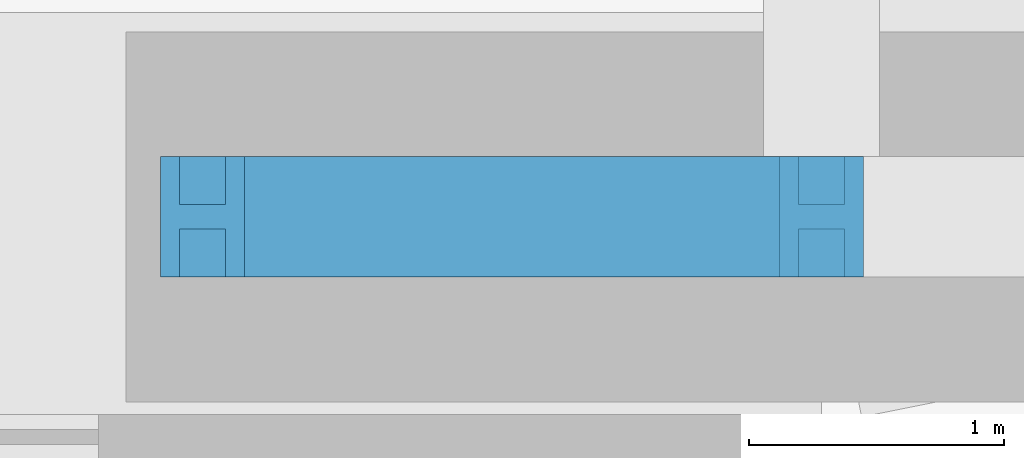
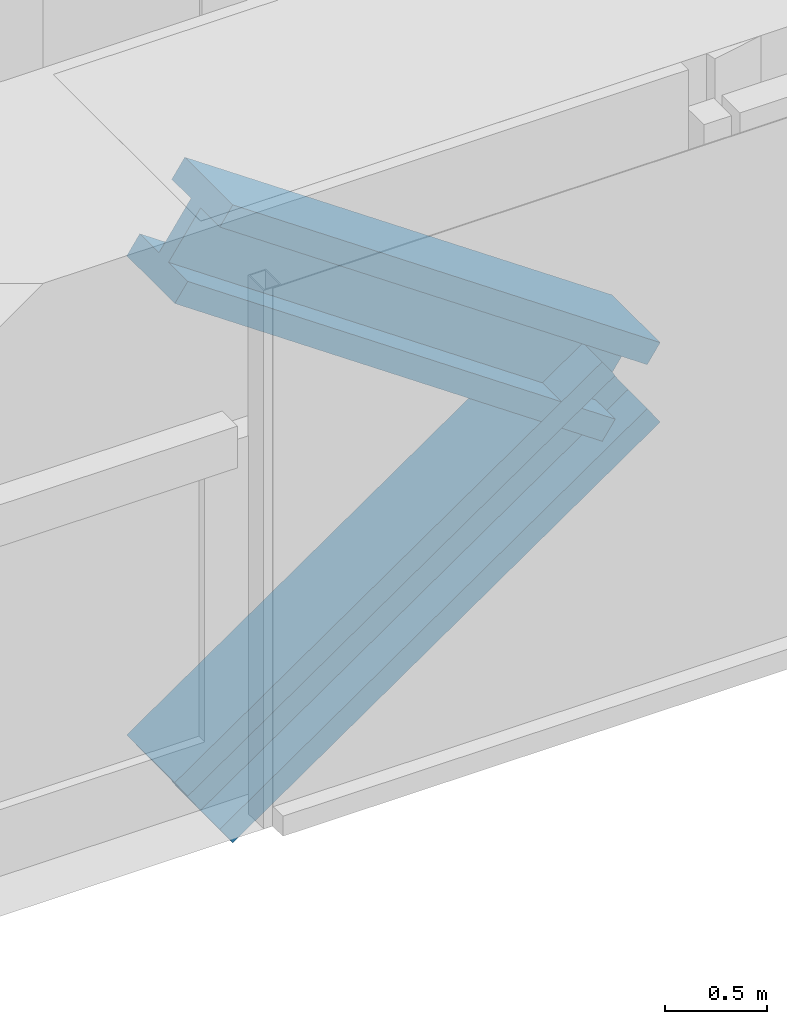
# One storey, part 6 of 24: 2 members.
"""IFC4 building model written with IfcOpenShell, lengths in metres."""

from ifc_helpers import new_model, si_unit, direction, frame, origin, origin_2d, place, context, subcontext, project, spatial, i_section, extrude, material, material_profile, profile_set, type_object, element, save


model = new_model("IFC4")

# Units and contexts
model_context = context("Model", 3, precision=1e-05, world=origin(), true_north=direction((0.0, 1.0)))
body_context = subcontext(model_context, "Body", "Model", "MODEL_VIEW")
ifc_project = project(units=[si_unit("LENGTHUNIT", "METRE"), si_unit("AREAUNIT", "SQUARE_METRE"), si_unit("VOLUMEUNIT", "CUBIC_METRE"), si_unit("PLANEANGLEUNIT", "RADIAN"), si_unit("MASSUNIT", "GRAM", prefix="KILO")], contexts=[model_context])

# Site, building, storey
site_placement = place(None, origin())
site = spatial("IfcSite", under=ifc_project, at=site_placement, CompositionType="ELEMENT")
building_placement = place(site_placement, origin())
building = spatial("IfcBuilding", under=site, at=building_placement, Name="Jalousie Tower", CompositionType="ELEMENT")
storey_placement = place(building_placement, frame((0.0, 0.0, 44.449951171875)))
storey = spatial("IfcBuildingStorey", under=building, at=storey_placement, Name="L11", CompositionType="ELEMENT", Elevation=44.449951171875)

# Members
ifc_material = material(Name="Steel ASTM A992 Grade 50", Category="steel")
ifc_material_profile = material_profile(ifc_material, i_section(OverallWidth=0.472412109375, OverallDepth=0.5791015625, WebThickness=0.094970703125, FlangeThickness=0.1298828125, at=origin_2d()), Name="W14X808")
ifc_profile_set = profile_set([ifc_material_profile], Name="Steel ASTM A992 Grade 50")
member_type = type_object("IfcMemberType", Name="PERIMETER BRACE W14X808", PredefinedType="BRACE", material=ifc_profile_set)
for number, where, z_axis, x_axis, name in (
    (1, (32.574951171875, 0.949951171875, -0.599853515625), (0.82283879777, 0.0, 0.568274856811), (0.0, 1.0, 0.0), "Perimeter brace 04 L11 part 1"),
    (2, (35.0, 0.949951171875, 1.074951171875), (-0.822800062329, 0.0, 0.568330940062), (0.0, -1.0, 0.0), "Perimeter brace 04 L11 part 4"),
):
    element("IfcMember", number, at=place(storey_placement, frame(where, z_axis=z_axis, x_axis=x_axis)), inside=storey, type_object=member_type, Name=name, PredefinedType="BRACE", context=body_context, shape_type="SweptSolid", body=[
        extrude(i_section(OverallWidth=0.472412109375, OverallDepth=0.5791015625, WebThickness=0.094970703125, FlangeThickness=0.1298828125, at=origin_2d()), origin(), (0.0, 0.0, 1.0), 2.947265625),
    ])

save(model, "model.ifc")
